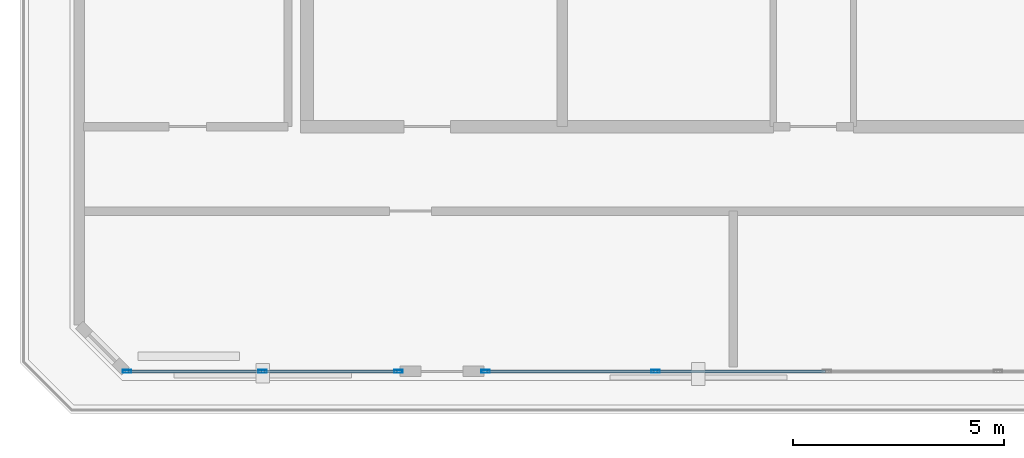
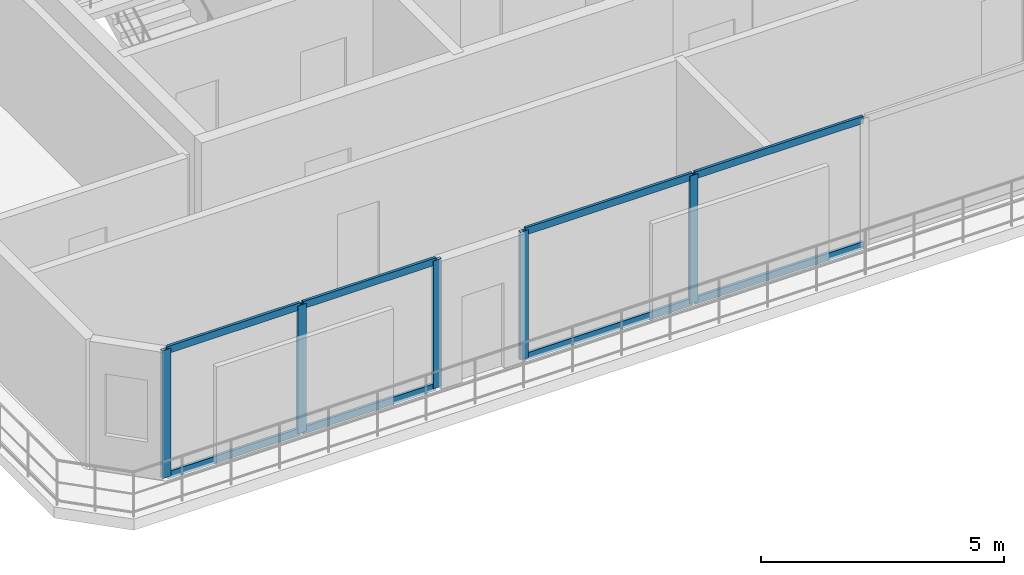
# One storey, part 1 of 6: 13 members, 2 elements without a shape of their own.
"""IFC4 building model written with IfcOpenShell, lengths in metres."""

from ifc_helpers import new_model, si_unit, direction, frame, origin, origin_2d, place, context, subcontext, project, spatial, hollow_rectangle, extrude, material, layer, layer_set, material_profile, profile_set, type_object, element, aggregate, save


model = new_model("IFC4")

# Units and contexts
model_context = context("Model", 3, precision=1e-05, world=origin(), true_north=direction((0.0, 1.0)))
body_context = subcontext(model_context, "Body", "Model", "MODEL_VIEW")
ifc_project = project(units=[si_unit("LENGTHUNIT", "METRE"), si_unit("AREAUNIT", "SQUARE_METRE"), si_unit("VOLUMEUNIT", "CUBIC_METRE"), si_unit("PLANEANGLEUNIT", "RADIAN"), si_unit("MASSUNIT", "GRAM", prefix="KILO")], contexts=[model_context])

# Site, building, storey
site_placement = place(None, origin())
site = spatial("IfcSite", under=ifc_project, at=site_placement, CompositionType="ELEMENT")
building_placement = place(site_placement, origin())
building = spatial("IfcBuilding", under=site, at=building_placement, Name="Catumbela Crestline Tower", CompositionType="ELEMENT")
storey_placement = place(building_placement, frame((0.0, 0.0, 301.0)))
storey = spatial("IfcBuildingStorey", under=building, at=storey_placement, Name="L77", CompositionType="ELEMENT", Elevation=301.0)

# Curtain wall, members
ifc_material = material(Name="Aluminium alloy AW-6060-T66", Category="aluminium")
ifc_layer = layer(ifc_material, 0.18, Name="Aluminium alloy AW-6060-T66")
ifc_layer_set = layer_set([ifc_layer], Name="Aluminium alloy AW-6060-T66")
curtain_wall_type = type_object("IfcCurtainWallType", Name="CWS-OBS", PredefinedType="USERDEFINED", material=ifc_layer_set)
curtain_wall_1_placement = place(storey_placement, origin())
curtain_wall_1 = element("IfcCurtainWall", 1, at=curtain_wall_1_placement, inside=storey, type_object=curtain_wall_type, Name="L77 Stick Curtain Wall CW-L77-E0S1", ObjectType="STICK", PredefinedType="USERDEFINED")
ifc_material_profile_1 = material_profile(ifc_material, hollow_rectangle(XDim=0.075, YDim=0.2, WallThickness=0.005, at=origin_2d()), Name="ALU 200x75x5")
ifc_profile_set_1 = profile_set([ifc_material_profile_1], Name="Aluminium alloy AW-6060-T66")
member_type_1 = type_object("IfcMemberType", Name="MUL-200X75", PredefinedType="MULLION", material=ifc_profile_set_1)
member_1_placement = place(storey_placement, frame((11.7325, 25.0, 0.0), z_axis=(0.0, 0.0, 1.0), x_axis=(0.0, 1.0, 0.0)))
member_1 = element("IfcMember", 2, at=member_1_placement, type_object=member_type_1, Name="CWS-OBS mullion 1", PredefinedType="MULLION", context=body_context, shape_type="SweptSolid", body=[
    extrude(hollow_rectangle(XDim=0.075, YDim=0.2, WallThickness=0.005, at=origin_2d()), origin(), (0.0, 0.0, 1.0), 3.21),
])
member_2_placement = place(storey_placement, frame((14.95, 25.0, 0.0), z_axis=(0.0, 0.0, 1.0), x_axis=(0.0, 1.0, 0.0)))
member_2 = element("IfcMember", 3, at=member_2_placement, type_object=member_type_1, Name="CWS-OBS mullion 2", PredefinedType="MULLION", context=body_context, shape_type="SweptSolid", body=[
    extrude(hollow_rectangle(XDim=0.075, YDim=0.2, WallThickness=0.005, at=origin_2d()), origin(), (0.0, 0.0, 1.0), 3.21),
])
member_3_placement = place(storey_placement, frame((18.1675, 25.0, 0.0), z_axis=(0.0, 0.0, 1.0), x_axis=(0.0, 1.0, 0.0)))
member_3 = element("IfcMember", 4, at=member_3_placement, type_object=member_type_1, Name="CWS-OBS mullion 3", PredefinedType="MULLION", context=body_context, shape_type="SweptSolid", body=[
    extrude(hollow_rectangle(XDim=0.075, YDim=0.2, WallThickness=0.005, at=origin_2d()), origin(), (0.0, 0.0, 1.0), 3.21),
])

curtain_wall_2_placement = place(storey_placement, origin())
curtain_wall_2 = element("IfcCurtainWall", 5, at=curtain_wall_2_placement, inside=storey, type_object=curtain_wall_type, Name="L77 Stick Curtain Wall CW-L77-E0S2", ObjectType="STICK", PredefinedType="USERDEFINED")
member_4_placement = place(storey_placement, frame((20.2325, 25.0, 0.0), z_axis=(0.0, 0.0, 1.0), x_axis=(0.0, 1.0, 0.0)))
member_4 = element("IfcMember", 6, at=member_4_placement, type_object=member_type_1, Name="CWS-OBS mullion 1", PredefinedType="MULLION", context=body_context, shape_type="SweptSolid", body=[
    extrude(hollow_rectangle(XDim=0.075, YDim=0.2, WallThickness=0.005, at=origin_2d()), origin(), (0.0, 0.0, 1.0), 3.21),
])
member_5_placement = place(storey_placement, frame((24.26, 25.0, 0.0), z_axis=(0.0, 0.0, 1.0), x_axis=(0.0, 1.0, 0.0)))
member_5 = element("IfcMember", 7, at=member_5_placement, type_object=member_type_1, Name="CWS-OBS mullion 2", PredefinedType="MULLION", context=body_context, shape_type="SweptSolid", body=[
    extrude(hollow_rectangle(XDim=0.075, YDim=0.2, WallThickness=0.005, at=origin_2d()), origin(), (0.0, 0.0, 1.0), 3.21),
])

# Member
ifc_material_profile_2 = material_profile(ifc_material, hollow_rectangle(XDim=0.065, YDim=0.18, WallThickness=0.004, at=origin_2d()), Name="ALU 180x65x4")
ifc_profile_set_2 = profile_set([ifc_material_profile_2], Name="Aluminium alloy AW-6060-T66")
member_type_2 = type_object("IfcMemberType", Name="TRN-180X65", PredefinedType="USERDEFINED", material=ifc_profile_set_2)
member_6_placement = place(storey_placement, frame((11.765, 25.0, 0.03), z_axis=(1.0, 0.0, 0.0), x_axis=(0.0, 1.0, 0.0)))
member_6 = element("IfcMember", 8, at=member_6_placement, type_object=member_type_2, Name="CWS-OBS transom 1.1", ObjectType="TRANSOM", PredefinedType="USERDEFINED", context=body_context, shape_type="SweptSolid", body=[
    extrude(hollow_rectangle(XDim=0.065, YDim=0.18, WallThickness=0.004, at=origin_2d()), origin(), (0.0, 0.0, 1.0), 3.1525),
])

member_7_placement = place(storey_placement, frame((11.765, 25.0, 3.18), z_axis=(1.0, 0.0, 0.0), x_axis=(0.0, 1.0, 0.0)))
member_7 = element("IfcMember", 9, at=member_7_placement, type_object=member_type_2, Name="CWS-OBS transom 1.2", ObjectType="TRANSOM", PredefinedType="USERDEFINED", context=body_context, shape_type="SweptSolid", body=[
    extrude(hollow_rectangle(XDim=0.065, YDim=0.18, WallThickness=0.004, at=origin_2d()), origin(), (0.0, 0.0, 1.0), 3.1525),
])

member_8_placement = place(storey_placement, frame((14.9825, 25.0, 0.03), z_axis=(1.0, 0.0, 0.0), x_axis=(0.0, 1.0, 0.0)))
member_8 = element("IfcMember", 10, at=member_8_placement, type_object=member_type_2, Name="CWS-OBS transom 2.1", ObjectType="TRANSOM", PredefinedType="USERDEFINED", context=body_context, shape_type="SweptSolid", body=[
    extrude(hollow_rectangle(XDim=0.065, YDim=0.18, WallThickness=0.004, at=origin_2d()), origin(), (0.0, 0.0, 1.0), 3.1525),
])

member_9_placement = place(storey_placement, frame((14.9825, 25.0, 3.18), z_axis=(1.0, 0.0, 0.0), x_axis=(0.0, 1.0, 0.0)))
member_9 = element("IfcMember", 11, at=member_9_placement, type_object=member_type_2, Name="CWS-OBS transom 2.2", ObjectType="TRANSOM", PredefinedType="USERDEFINED", context=body_context, shape_type="SweptSolid", body=[
    extrude(hollow_rectangle(XDim=0.065, YDim=0.18, WallThickness=0.004, at=origin_2d()), origin(), (0.0, 0.0, 1.0), 3.1525),
])

aggregate(curtain_wall_1, [member_1, member_2, member_3, member_6, member_7, member_8, member_9])

member_10_placement = place(storey_placement, frame((20.265, 25.0, 0.03), z_axis=(1.0, 0.0, 0.0), x_axis=(0.0, 1.0, 0.0)))
member_10 = element("IfcMember", 12, at=member_10_placement, type_object=member_type_2, Name="CWS-OBS transom 1.1", ObjectType="TRANSOM", PredefinedType="USERDEFINED", context=body_context, shape_type="SweptSolid", body=[
    extrude(hollow_rectangle(XDim=0.065, YDim=0.18, WallThickness=0.004, at=origin_2d()), origin(), (0.0, 0.0, 1.0), 3.9625),
])

member_11_placement = place(storey_placement, frame((20.265, 25.0, 3.18), z_axis=(1.0, 0.0, 0.0), x_axis=(0.0, 1.0, 0.0)))
member_11 = element("IfcMember", 13, at=member_11_placement, type_object=member_type_2, Name="CWS-OBS transom 1.2", ObjectType="TRANSOM", PredefinedType="USERDEFINED", context=body_context, shape_type="SweptSolid", body=[
    extrude(hollow_rectangle(XDim=0.065, YDim=0.18, WallThickness=0.004, at=origin_2d()), origin(), (0.0, 0.0, 1.0), 3.9625),
])

member_12_placement = place(storey_placement, frame((24.2925, 25.0, 0.03), z_axis=(1.0, 0.0, 0.0), x_axis=(0.0, 1.0, 0.0)))
member_12 = element("IfcMember", 14, at=member_12_placement, type_object=member_type_2, Name="CWS-OBS transom 2.1", ObjectType="TRANSOM", PredefinedType="USERDEFINED", context=body_context, shape_type="SweptSolid", body=[
    extrude(hollow_rectangle(XDim=0.065, YDim=0.18, WallThickness=0.004, at=origin_2d()), origin(), (0.0, 0.0, 1.0), 3.995),
])

member_13_placement = place(storey_placement, frame((24.2925, 25.0, 3.18), z_axis=(1.0, 0.0, 0.0), x_axis=(0.0, 1.0, 0.0)))
member_13 = element("IfcMember", 15, at=member_13_placement, type_object=member_type_2, Name="CWS-OBS transom 2.2", ObjectType="TRANSOM", PredefinedType="USERDEFINED", context=body_context, shape_type="SweptSolid", body=[
    extrude(hollow_rectangle(XDim=0.065, YDim=0.18, WallThickness=0.004, at=origin_2d()), origin(), (0.0, 0.0, 1.0), 3.995),
])

aggregate(curtain_wall_2, [member_4, member_5, member_10, member_11, member_12, member_13])

save(model, "model.ifc")
